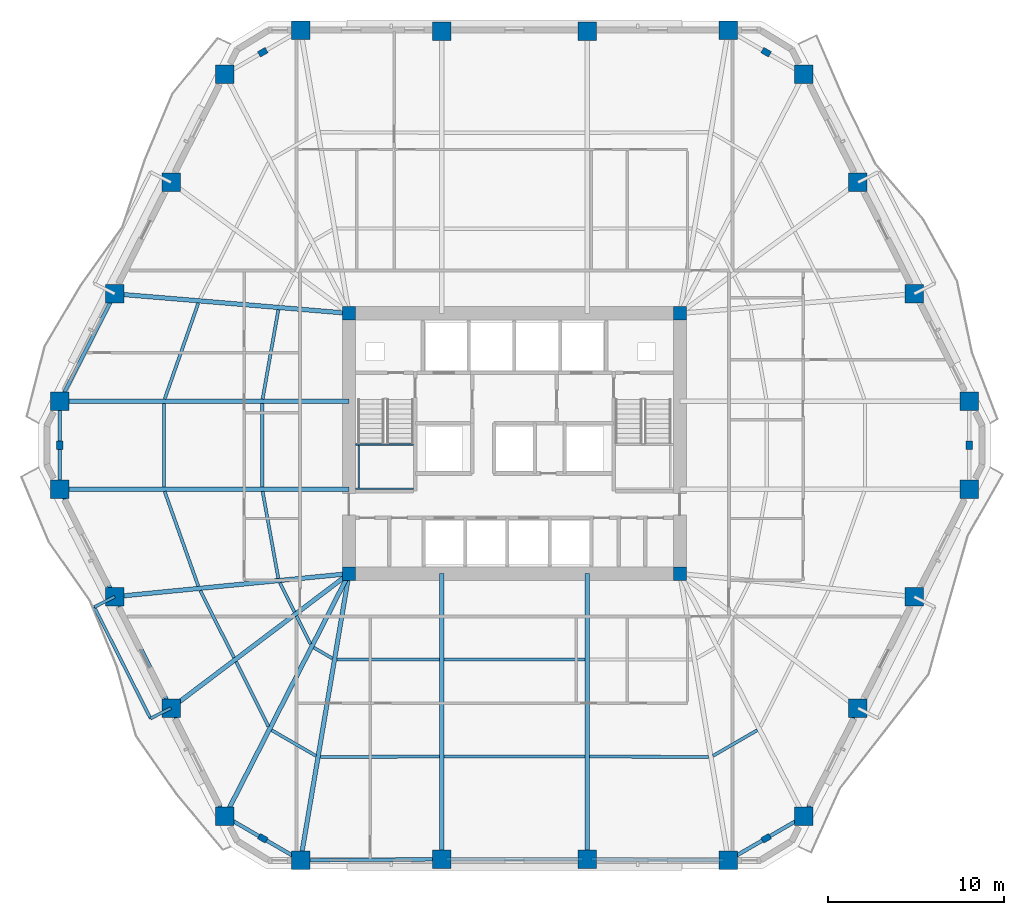
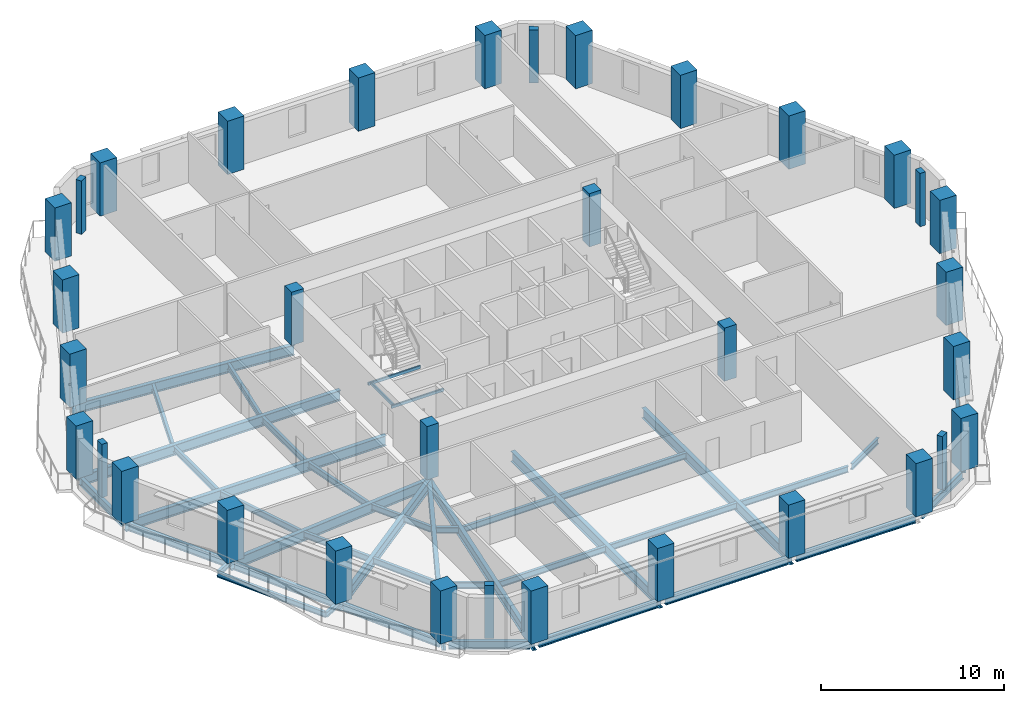
# One storey, part 1 of 13: 44 beams, 34 columns.
"""IFC4 building model written with IfcOpenShell, lengths in metres."""

from ifc_helpers import new_model, si_unit, direction, frame, origin, origin_2d, place, context, subcontext, project, spatial, rectangle, hollow_rectangle, i_section, extrude, material, material_profile, profile_set, type_object, element, save


model = new_model("IFC4")

# Units and contexts
model_context = context("Model", 3, precision=1e-05, world=origin(), true_north=direction((0.0, 1.0)))
body_context = subcontext(model_context, "Body", "Model", "MODEL_VIEW")
ifc_project = project(units=[si_unit("LENGTHUNIT", "METRE"), si_unit("AREAUNIT", "SQUARE_METRE"), si_unit("VOLUMEUNIT", "CUBIC_METRE"), si_unit("PLANEANGLEUNIT", "RADIAN"), si_unit("MASSUNIT", "GRAM", prefix="KILO")], contexts=[model_context])

# Site, building, storey
site_placement = place(None, origin())
site = spatial("IfcSite", under=ifc_project, at=site_placement, CompositionType="ELEMENT")
building_placement = place(site_placement, origin())
building = spatial("IfcBuilding", under=site, at=building_placement, Name="Cinnabar Lancet Tower", CompositionType="ELEMENT")
storey_placement = place(building_placement, frame((0.0, 0.0, 80.0)))
storey = spatial("IfcBuildingStorey", under=building, at=storey_placement, Name="L20", CompositionType="ELEMENT", Elevation=80.0)

# Columns
ifc_material_1 = material(Name="Concrete C70/85", Category="concrete")
ifc_material_profile_1 = material_profile(ifc_material_1, rectangle(XDim=0.75, YDim=0.75, at=origin_2d()), Name="RC-COL 750x750")
ifc_profile_set_1 = profile_set([ifc_material_profile_1], Name="Concrete C70/85")
column_type_1 = type_object("IfcColumnType", Name="STR-COL-CORE-750", PredefinedType="COLUMN", material=ifc_profile_set_1)
for number, where, z_axis, x_axis, name in (
    (1, (23.02490234375, 18.52490234375, 0.0), (0.0, 0.0, 1.0), (1.0, 0.0, 0.0), "L20 Core Corner Column SW"),
    (2, (41.77490234375, 18.52490234375, 0.0), (0.0, 0.0, 1.0), (1.0, 0.0, 0.0), "L20 Core Corner Column SE"),
    (3, (41.77490234375, 33.27490234375, 0.0), (0.0, 0.0, 1.0), (1.0, 0.0, 0.0), "L20 Core Corner Column NE"),
    (4, (23.02490234375, 33.27490234375, 0.0), (0.0, 0.0, 1.0), (1.0, 0.0, 0.0), "L20 Core Corner Column NW"),
):
    element("IfcColumn", number, at=place(storey_placement, frame(where, z_axis=z_axis, x_axis=x_axis)), inside=storey, type_object=column_type_1, Name=name, PredefinedType="COLUMN", context=body_context, shape_type="SweptSolid", body=[
        extrude(rectangle(XDim=0.75, YDim=0.75, at=origin_2d()), origin(), (0.0, 0.0, 1.0), 3.550048828125),
    ])
ifc_material_2 = material(Name="Concrete C60/75", Category="concrete")
ifc_material_profile_2 = material_profile(ifc_material_2, rectangle(XDim=0.5, YDim=0.35009765625, at=origin_2d()), Name="RC-PIL 500x350")
ifc_profile_set_2 = profile_set([ifc_material_profile_2], Name="Concrete C60/75")
column_type_2 = type_object("IfcColumnType", Name="STR-COL-PIL-500", PredefinedType="PILASTER", material=ifc_profile_set_2)
for number, where, z_axis, x_axis, name in (
    (5, (18.139892578125, 3.531005859375, 0.0), (0.0, 0.0, 1.0), (0.865195182343, -0.501435236546, 0.0), "L20 Chamfered Corner Pilaster 1"),
    (6, (46.659912109375, 3.531005859375, 0.0), (0.0, 0.0, 1.0), (0.865195182343, 0.501435236546, 0.0), "L20 Chamfered Corner Pilaster 2"),
    (7, (58.16796875, 25.800048828125, 0.0), (0.0, 0.0, 1.0), (0.0, 1.0, 0.0), "L20 Chamfered Corner Pilaster 3"),
    (8, (46.659912109375, 48.069091796875, 0.0), (0.0, 0.0, 1.0), (-0.865195182343, 0.501435236546, 0.0), "L20 Chamfered Corner Pilaster 4"),
    (9, (18.139892578125, 48.069091796875, 0.0), (0.0, 0.0, 1.0), (-0.865195182343, -0.501435236546, 0.0), "L20 Chamfered Corner Pilaster 5"),
    (10, (6.632080078125, 25.800048828125, 0.0), (0.0, 0.0, 1.0), (0.0, -1.0, 0.0), "L20 Chamfered Corner Pilaster 6"),
):
    element("IfcColumn", number, at=place(storey_placement, frame(where, z_axis=z_axis, x_axis=x_axis)), inside=storey, type_object=column_type_2, Name=name, PredefinedType="PILASTER", context=body_context, shape_type="SweptSolid", body=[
        extrude(rectangle(XDim=0.5, YDim=0.35009765625, at=origin_2d()), origin(), (0.0, 0.0, 1.0), 3.550048828125),
    ])
ifc_material_3 = material(Name="Concrete C70/85", Category="concrete")
ifc_material_profile_3 = material_profile(ifc_material_3, rectangle(XDim=1.050048828125, YDim=1.050048828125, at=origin_2d()), Name="RC-COL 1050x1050")
ifc_profile_set_3 = profile_set([ifc_material_profile_3], Name="Concrete C70/85")
column_type_3 = type_object("IfcColumnType", Name="STR-COL-TUBE-1050", PredefinedType="COLUMN", material=ifc_profile_set_3)
for number, where, z_axis, x_axis, name in (
    (11, (20.282958984375, 2.2890625, 0.0), (0.0, 0.0, 1.0), (1.0, 0.0, 0.0), "L20 Perimeter Tube Column 1"),
    (12, (28.278076171875, 2.342041015625, 0.0), (0.0, 0.0, 1.0), (1.0, 0.0, 0.0), "L20 Perimeter Tube Column 2"),
    (13, (36.52197265625, 2.342041015625, 0.0), (0.0, 0.0, 1.0), (1.0, 0.0, 0.0), "L20 Perimeter Tube Column 3"),
    (14, (44.51708984375, 2.2890625, 0.0), (0.0, 0.0, 1.0), (1.0, 0.0, 0.0), "L20 Perimeter Tube Column 4"),
    (15, (48.802978515625, 4.77294921875, 0.0), (0.0, 0.0, 1.0), (1.0, 0.0, 0.0), "L20 Perimeter Tube Column 5"),
    (16, (51.85888671875, 10.908935546875, 0.0), (0.0, 0.0, 1.0), (1.0, 0.0, 0.0), "L20 Perimeter Tube Column 6"),
    (17, (55.0458984375, 17.219970703125, 0.0), (0.0, 0.0, 1.0), (1.0, 0.0, 0.0), "L20 Perimeter Tube Column 7"),
    (18, (58.16796875, 23.31396484375, 0.0), (0.0, 0.0, 1.0), (1.0, 0.0, 0.0), "L20 Perimeter Tube Column 8"),
    (19, (58.16796875, 28.285888671875, 0.0), (0.0, 0.0, 1.0), (1.0, 0.0, 0.0), "L20 Perimeter Tube Column 9"),
    (20, (55.0458984375, 34.3798828125, 0.0), (0.0, 0.0, 1.0), (1.0, 0.0, 0.0), "L20 Perimeter Tube Column 10"),
    (21, (51.85888671875, 40.69091796875, 0.0), (0.0, 0.0, 1.0), (1.0, 0.0, 0.0), "L20 Perimeter Tube Column 11"),
    (22, (48.802978515625, 46.826904296875, 0.0), (0.0, 0.0, 1.0), (1.0, 0.0, 0.0), "L20 Perimeter Tube Column 12"),
    (23, (44.51708984375, 49.31103515625, 0.0), (0.0, 0.0, 1.0), (1.0, 0.0, 0.0), "L20 Perimeter Tube Column 13"),
    (24, (36.52197265625, 49.258056640625, 0.0), (0.0, 0.0, 1.0), (1.0, 0.0, 0.0), "L20 Perimeter Tube Column 14"),
    (25, (28.278076171875, 49.258056640625, 0.0), (0.0, 0.0, 1.0), (1.0, 0.0, 0.0), "L20 Perimeter Tube Column 15"),
    (26, (20.282958984375, 49.31103515625, 0.0), (0.0, 0.0, 1.0), (1.0, 0.0, 0.0), "L20 Perimeter Tube Column 16"),
    (27, (15.9970703125, 46.826904296875, 0.0), (0.0, 0.0, 1.0), (1.0, 0.0, 0.0), "L20 Perimeter Tube Column 17"),
    (28, (12.94091796875, 40.69091796875, 0.0), (0.0, 0.0, 1.0), (1.0, 0.0, 0.0), "L20 Perimeter Tube Column 18"),
    (29, (9.75390625, 34.3798828125, 0.0), (0.0, 0.0, 1.0), (1.0, 0.0, 0.0), "L20 Perimeter Tube Column 19"),
    (30, (6.632080078125, 28.285888671875, 0.0), (0.0, 0.0, 1.0), (1.0, 0.0, 0.0), "L20 Perimeter Tube Column 20"),
    (31, (6.632080078125, 23.31396484375, 0.0), (0.0, 0.0, 1.0), (1.0, 0.0, 0.0), "L20 Perimeter Tube Column 21"),
    (32, (9.75390625, 17.219970703125, 0.0), (0.0, 0.0, 1.0), (1.0, 0.0, 0.0), "L20 Perimeter Tube Column 22"),
    (33, (12.94091796875, 10.908935546875, 0.0), (0.0, 0.0, 1.0), (1.0, 0.0, 0.0), "L20 Perimeter Tube Column 23"),
    (34, (15.9970703125, 4.77294921875, 0.0), (0.0, 0.0, 1.0), (1.0, 0.0, 0.0), "L20 Perimeter Tube Column 24"),
):
    element("IfcColumn", number, at=place(storey_placement, frame(where, z_axis=z_axis, x_axis=x_axis)), inside=storey, type_object=column_type_3, Name=name, PredefinedType="COLUMN", context=body_context, shape_type="SweptSolid", body=[
        extrude(rectangle(XDim=1.050048828125, YDim=1.050048828125, at=origin_2d()), origin(), (0.0, 0.0, 1.0), 3.550048828125),
    ])

# Beams
ifc_material_4 = material(Name="Structural steel S355", Category="steel")
ifc_material_profile_4 = material_profile(ifc_material_4, i_section(OverallWidth=0.177978515625, OverallDepth=0.406494140625, WebThickness=0.0078125, FlangeThickness=0.0126953125, FilletRadius=0.01025390625, at=origin_2d()), Name="UKB 406x178x60")
ifc_profile_set_4 = profile_set([ifc_material_profile_4], Name="Structural steel S355")
beam_type_1 = type_object("IfcBeamType", Name="STR-BM-JST-406", PredefinedType="JOIST", material=ifc_profile_set_4)
beam_1_placement = place(storey_placement, frame((12.5791015625, 23.18701171875, -0.423095703125), z_axis=(0.334725039774, -0.942315842883, 0.0), x_axis=(0.942315842883, 0.334725039774, 0.0)))
element("IfcBeam", 35, at=beam_1_placement, inside=storey, type_object=beam_type_1, Name="L20 Secondary Floor Joist 1", PredefinedType="JOIST", context=body_context, shape_type="SweptSolid", body=[
    extrude(i_section(OverallWidth=0.177978515625, OverallDepth=0.406494140625, WebThickness=0.0078125, FlangeThickness=0.0126953125, FilletRadius=0.01025390625, at=origin_2d()), origin(), (0.0, 0.0, 1.0), 5.702880859375),
])
beam_2_placement = place(storey_placement, frame((18.1298828125, 23.18701171875, -0.423095703125), z_axis=(0.177941534491, -0.984041061289, 0.0), x_axis=(0.984041061289, 0.177941534491, 0.0)))
element("IfcBeam", 36, at=beam_2_placement, inside=storey, type_object=beam_type_1, Name="L20 Secondary Floor Joist 2", PredefinedType="JOIST", context=body_context, shape_type="SweptSolid", body=[
    extrude(i_section(OverallWidth=0.177978515625, OverallDepth=0.406494140625, WebThickness=0.0078125, FlangeThickness=0.0126953125, FilletRadius=0.01025390625, at=origin_2d()), origin(), (0.0, 0.0, 1.0), 5.0078125),
])
beam_3_placement = place(storey_placement, frame((14.593017578125, 17.568115234375, -0.423095703125), z_axis=(0.450763900798, -0.892643213012, 0.0), x_axis=(0.892643213012, 0.450763900798, 0.0)))
element("IfcBeam", 37, at=beam_3_placement, inside=storey, type_object=beam_type_1, Name="L20 Secondary Floor Joist 3", PredefinedType="JOIST", context=body_context, shape_type="SweptSolid", body=[
    extrude(i_section(OverallWidth=0.177978515625, OverallDepth=0.406494140625, WebThickness=0.0078125, FlangeThickness=0.0126953125, FilletRadius=0.01025390625, at=origin_2d()), origin(), (0.0, 0.0, 1.0), 4.25927734375),
])
beam_4_placement = place(storey_placement, frame((19.10498046875, 18.011962890625, -0.423095703125), z_axis=(0.450839777892, -0.892604892811, 0.0), x_axis=(0.892604892811, 0.450839777892, 0.0)))
element("IfcBeam", 38, at=beam_4_placement, inside=storey, type_object=beam_type_1, Name="L20 Secondary Floor Joist 4", PredefinedType="JOIST", context=body_context, shape_type="SweptSolid", body=[
    extrude(i_section(OverallWidth=0.177978515625, OverallDepth=0.406494140625, WebThickness=0.0078125, FlangeThickness=0.0126953125, FilletRadius=0.01025390625, at=origin_2d()), origin(), (0.0, 0.0, 1.0), 1.8564453125),
])
beam_5_placement = place(storey_placement, frame((16.62890625, 13.534912109375, -0.423095703125), z_axis=(0.445879271348, -0.895093109896, 0.0), x_axis=(0.895093109896, 0.445879271348, 0.0)))
element("IfcBeam", 39, at=beam_5_placement, inside=storey, type_object=beam_type_1, Name="L20 Secondary Floor Joist 5", PredefinedType="JOIST", context=body_context, shape_type="SweptSolid", body=[
    extrude(i_section(OverallWidth=0.177978515625, OverallDepth=0.406494140625, WebThickness=0.0078125, FlangeThickness=0.0126953125, FilletRadius=0.01025390625, at=origin_2d()), origin(), (0.0, 0.0, 1.0), 4.10009765625),
])
beam_6_placement = place(storey_placement, frame((20.056884765625, 16.125, -0.423095703125), z_axis=(0.445888683384, -0.895088421347, 0.0), x_axis=(0.895088421347, 0.445888683384, 0.0)))
element("IfcBeam", 40, at=beam_6_placement, inside=storey, type_object=beam_type_1, Name="L20 Secondary Floor Joist 6", PredefinedType="JOIST", context=body_context, shape_type="SweptSolid", body=[
    extrude(i_section(OverallWidth=0.177978515625, OverallDepth=0.406494140625, WebThickness=0.0078125, FlangeThickness=0.0126953125, FilletRadius=0.01025390625, at=origin_2d()), origin(), (0.0, 0.0, 1.0), 1.76953125),
])
beam_7_placement = place(storey_placement, frame((18.636962890625, 9.659912109375, -0.423095703125), z_axis=(0.865230791262, -0.501373790551, 0.0), x_axis=(0.501373790551, 0.865230791262, 0.0)))
element("IfcBeam", 41, at=beam_7_placement, inside=storey, type_object=beam_type_1, Name="L20 Secondary Floor Joist 7", PredefinedType="JOIST", context=body_context, shape_type="SweptSolid", body=[
    extrude(i_section(OverallWidth=0.177978515625, OverallDepth=0.406494140625, WebThickness=0.0078125, FlangeThickness=0.0126953125, FilletRadius=0.01025390625, at=origin_2d()), origin(), (0.0, 0.0, 1.0), 2.907958984375),
])
beam_8_placement = place(storey_placement, frame((21.027099609375, 14.3359375, -0.423095703125), z_axis=(0.864870018283, -0.501995867986, 0.0), x_axis=(0.501995867986, 0.864870018283, 0.0)))
element("IfcBeam", 42, at=beam_8_placement, inside=storey, type_object=beam_type_1, Name="L20 Secondary Floor Joist 8", PredefinedType="JOIST", context=body_context, shape_type="SweptSolid", body=[
    extrude(i_section(OverallWidth=0.177978515625, OverallDepth=0.406494140625, WebThickness=0.0078125, FlangeThickness=0.0126953125, FilletRadius=0.01025390625, at=origin_2d()), origin(), (0.0, 0.0, 1.0), 1.22314453125),
])
beam_9_placement = place(storey_placement, frame((21.39892578125, 8.135009765625, -0.423095703125), z_axis=(0.999988781713, 0.004736712844, 0.0), x_axis=(-0.004736712844, 0.999988781713, 0.0)))
element("IfcBeam", 43, at=beam_9_placement, inside=storey, type_object=beam_type_1, Name="L20 Secondary Floor Joist 9", PredefinedType="JOIST", context=body_context, shape_type="SweptSolid", body=[
    extrude(i_section(OverallWidth=0.177978515625, OverallDepth=0.406494140625, WebThickness=0.0078125, FlangeThickness=0.0126953125, FilletRadius=0.01025390625, at=origin_2d()), origin(), (0.0, 0.0, 1.0), 6.751953125),
])
beam_10_placement = place(storey_placement, frame((22.3310546875, 13.655029296875, -0.423095703125), z_axis=(0.99999672593, 0.00255893113, 0.0), x_axis=(-0.00255893113, 0.99999672593, 0.0)))
element("IfcBeam", 44, at=beam_10_placement, inside=storey, type_object=beam_type_1, Name="L20 Secondary Floor Joist 10", PredefinedType="JOIST", context=body_context, shape_type="SweptSolid", body=[
    extrude(i_section(OverallWidth=0.177978515625, OverallDepth=0.406494140625, WebThickness=0.0078125, FlangeThickness=0.0126953125, FilletRadius=0.01025390625, at=origin_2d()), origin(), (0.0, 0.0, 1.0), 5.81982421875),
])
for number, where, z_axis, x_axis, name in (
    (45, (28.405029296875, 8.16796875, -0.423095703125), (1.0, 0.0, 0.0), (0.0, 1.0, 0.0), "L20 Secondary Floor Joist 11"),
    (46, (28.405029296875, 13.669921875, -0.423095703125), (1.0, 0.0, 0.0), (0.0, 1.0, 0.0), "L20 Secondary Floor Joist 12"),
):
    element("IfcBeam", number, at=place(storey_placement, frame(where, z_axis=z_axis, x_axis=x_axis)), inside=storey, type_object=beam_type_1, Name=name, PredefinedType="JOIST", context=body_context, shape_type="SweptSolid", body=[
        extrude(i_section(OverallWidth=0.177978515625, OverallDepth=0.406494140625, WebThickness=0.0078125, FlangeThickness=0.0126953125, FilletRadius=0.01025390625, at=origin_2d()), origin(), (0.0, 0.0, 1.0), 7.989990234375),
    ])
beam_11_placement = place(storey_placement, frame((36.64892578125, 8.1669921875, -0.423095703125), z_axis=(0.999988781713, -0.004736712844, 0.0), x_axis=(0.004736712844, 0.999988781713, 0.0)))
element("IfcBeam", 47, at=beam_11_placement, inside=storey, type_object=beam_type_1, Name="L20 Secondary Floor Joist 13", PredefinedType="JOIST", context=body_context, shape_type="SweptSolid", body=[
    extrude(i_section(OverallWidth=0.177978515625, OverallDepth=0.406494140625, WebThickness=0.0078125, FlangeThickness=0.0126953125, FilletRadius=0.01025390625, at=origin_2d()), origin(), (0.0, 0.0, 1.0), 6.751953125),
])
beam_12_placement = place(storey_placement, frame((43.64697265625, 8.201904296875, -0.423095703125), z_axis=(0.865230791262, 0.501373790551, 0.0), x_axis=(-0.501373790551, 0.865230791262, 0.0)))
element("IfcBeam", 48, at=beam_12_placement, inside=storey, type_object=beam_type_1, Name="L20 Secondary Floor Joist 15", PredefinedType="JOIST", context=body_context, shape_type="SweptSolid", body=[
    extrude(i_section(OverallWidth=0.177978515625, OverallDepth=0.406494140625, WebThickness=0.0078125, FlangeThickness=0.0126953125, FilletRadius=0.01025390625, at=origin_2d()), origin(), (0.0, 0.0, 1.0), 2.907958984375),
])
beam_13_placement = place(storey_placement, frame((14.488037109375, 33.85888671875, -0.423095703125), z_axis=(-0.330987266454, -0.943635220541, 0.0), x_axis=(0.943635220541, -0.330987266454, 0.0)))
element("IfcBeam", 49, at=beam_13_placement, inside=storey, type_object=beam_type_1, Name="L20 Secondary Floor Joist 45", PredefinedType="JOIST", context=body_context, shape_type="SweptSolid", body=[
    extrude(i_section(OverallWidth=0.177978515625, OverallDepth=0.406494140625, WebThickness=0.0078125, FlangeThickness=0.0126953125, FilletRadius=0.01025390625, at=origin_2d()), origin(), (0.0, 0.0, 1.0), 5.77099609375),
])
beam_14_placement = place(storey_placement, frame((19.02197265625, 33.48095703125, -0.423095703125), z_axis=(-0.173547157688, -0.984825560218, 0.0), x_axis=(0.984825560218, -0.173547157688, 0.0)))
element("IfcBeam", 50, at=beam_14_placement, inside=storey, type_object=beam_type_1, Name="L20 Secondary Floor Joist 46", PredefinedType="JOIST", context=body_context, shape_type="SweptSolid", body=[
    extrude(i_section(OverallWidth=0.177978515625, OverallDepth=0.406494140625, WebThickness=0.0078125, FlangeThickness=0.0126953125, FilletRadius=0.01025390625, at=origin_2d()), origin(), (0.0, 0.0, 1.0), 5.14599609375),
])
for number, where, z_axis, x_axis, name in (
    (51, (12.532958984375, 28.158935546875, -0.423095703125), (0.0, -1.0, 0.0), (1.0, 0.0, 0.0), "L20 Secondary Floor Joist 47"),
    (52, (18.10693359375, 28.158935546875, -0.423095703125), (0.0, -1.0, 0.0), (1.0, 0.0, 0.0), "L20 Secondary Floor Joist 48"),
):
    element("IfcBeam", number, at=place(storey_placement, frame(where, z_axis=z_axis, x_axis=x_axis)), inside=storey, type_object=beam_type_1, Name=name, PredefinedType="JOIST", context=body_context, shape_type="SweptSolid", body=[
        extrude(i_section(OverallWidth=0.177978515625, OverallDepth=0.406494140625, WebThickness=0.0078125, FlangeThickness=0.0126953125, FilletRadius=0.01025390625, at=origin_2d()), origin(), (0.0, 0.0, 1.0), 4.718017578125),
    ])
ifc_material_5 = material(Name="Structural steel S355", Category="steel")
ifc_material_profile_5 = material_profile(ifc_material_5, hollow_rectangle(XDim=0.10009765625, YDim=0.199951171875, WallThickness=0.008056640625, InnerFilletRadius=0.00390625, OuterFilletRadius=0.011962890625, at=origin_2d()), Name="RHS 200x100x8")
ifc_profile_set_5 = profile_set([ifc_material_profile_5], Name="Structural steel S355")
beam_type_2 = type_object("IfcBeamType", Name="STR-BM-LND-203", PredefinedType="BEAM", material=ifc_profile_set_5)
for number, where, z_axis, x_axis, name in (
    (53, (23.39990234375, 23.330078125, 1.47509765625), (1.0, 0.0, 0.0), (0.0, 1.0, 0.0), "L20 ST-1-L20 Landing Support Beam S"),
    (54, (23.39990234375, 25.844970703125, 1.47509765625), (1.0, 0.0, 0.0), (0.0, 1.0, 0.0), "L20 ST-1-L20 Landing Support Beam N"),
):
    element("IfcBeam", number, at=place(storey_placement, frame(where, z_axis=z_axis, x_axis=x_axis)), inside=storey, type_object=beam_type_2, Name=name, PredefinedType="BEAM", context=body_context, shape_type="SweptSolid", body=[
        extrude(hollow_rectangle(XDim=0.10009765625, YDim=0.199951171875, WallThickness=0.008056640625, InnerFilletRadius=0.00390625, OuterFilletRadius=0.011962890625, at=origin_2d()), origin(), (0.0, 0.0, 1.0), 3.280029296875),
    ])
beam_15_placement = place(storey_placement, frame((23.580078125, 23.3798828125, 1.47509765625), z_axis=(0.0, 1.0, 0.0), x_axis=(-1.0, 0.0, 0.0)))
element("IfcBeam", 55, at=beam_15_placement, inside=storey, type_object=beam_type_2, Name="L20 ST-1-L20 Landing Side Trimmer Beam", PredefinedType="BEAM", context=body_context, shape_type="SweptSolid", body=[
    extrude(hollow_rectangle(XDim=0.10009765625, YDim=0.199951171875, WallThickness=0.008056640625, InnerFilletRadius=0.00390625, OuterFilletRadius=0.011962890625, at=origin_2d()), origin(), (0.0, 0.0, 1.0), 2.4150390625),
])
ifc_material_6 = material(Name="Structural steel S355", Category="steel")
ifc_material_profile_6 = material_profile(ifc_material_6, i_section(OverallWidth=0.209228515625, OverallDepth=0.533203125, WebThickness=0.010009765625, FlangeThickness=0.015625, FilletRadius=0.0126953125, at=origin_2d()), Name="UKB 533x210x92")
ifc_profile_set_6 = profile_set([ifc_material_profile_6], Name="Structural steel S355")
beam_type_3 = type_object("IfcBeamType", Name="STR-BM-SPN-533", PredefinedType="SPANDREL", material=ifc_profile_set_6)
beam_16_placement = place(storey_placement, frame((20.532958984375, 2.291015625, -0.487060546875), z_axis=(0.99997856757, 0.006547090947, 0.0), x_axis=(-0.006547090947, 0.99997856757, 0.0)))
element("IfcBeam", 56, at=beam_16_placement, inside=storey, type_object=beam_type_3, Name="L20 Perimeter Spandrel 1", PredefinedType="SPANDREL", context=body_context, shape_type="SweptSolid", body=[
    extrude(i_section(OverallWidth=0.209228515625, OverallDepth=0.533203125, WebThickness=0.010009765625, FlangeThickness=0.015625, FilletRadius=0.0126953125, at=origin_2d()), origin(), (0.0, 0.0, 1.0), 7.495361328125),
])
beam_17_placement = place(storey_placement, frame((28.528076171875, 2.342041015625, -0.487060546875), z_axis=(1.0, 0.0, 0.0), x_axis=(0.0, 1.0, 0.0)))
element("IfcBeam", 57, at=beam_17_placement, inside=storey, type_object=beam_type_3, Name="L20 Perimeter Spandrel 2", PredefinedType="SPANDREL", context=body_context, shape_type="SweptSolid", body=[
    extrude(i_section(OverallWidth=0.209228515625, OverallDepth=0.533203125, WebThickness=0.010009765625, FlangeThickness=0.015625, FilletRadius=0.0126953125, at=origin_2d()), origin(), (0.0, 0.0, 1.0), 7.743896484375),
])
beam_18_placement = place(storey_placement, frame((36.77197265625, 2.340087890625, -0.487060546875), z_axis=(0.99997856757, -0.006547090947, 0.0), x_axis=(0.006547090947, 0.99997856757, 0.0)))
element("IfcBeam", 58, at=beam_18_placement, inside=storey, type_object=beam_type_3, Name="L20 Perimeter Spandrel 3", PredefinedType="SPANDREL", context=body_context, shape_type="SweptSolid", body=[
    extrude(i_section(OverallWidth=0.209228515625, OverallDepth=0.533203125, WebThickness=0.010009765625, FlangeThickness=0.015625, FilletRadius=0.0126953125, at=origin_2d()), origin(), (0.0, 0.0, 1.0), 7.495361328125),
])
beam_19_placement = place(storey_placement, frame((44.73291015625, 2.4140625, -0.487060546875), z_axis=(0.865171017323, 0.501476929463, 0.0), x_axis=(-0.501476929463, 0.865171017323, 0.0)))
element("IfcBeam", 59, at=beam_19_placement, inside=storey, type_object=beam_type_3, Name="L20 Perimeter Spandrel 4", PredefinedType="SPANDREL", context=body_context, shape_type="SweptSolid", body=[
    extrude(i_section(OverallWidth=0.209228515625, OverallDepth=0.533203125, WebThickness=0.010009765625, FlangeThickness=0.015625, FilletRadius=0.0126953125, at=origin_2d()), origin(), (0.0, 0.0, 1.0), 4.45458984375),
])
beam_20_placement = place(storey_placement, frame((48.9140625, 4.9970703125, -0.487060546875), z_axis=(0.445953050023, 0.89505635419, 0.0), x_axis=(-0.89505635419, 0.445953050023, 0.0)))
element("IfcBeam", 60, at=beam_20_placement, inside=storey, type_object=beam_type_3, Name="L20 Perimeter Spandrel 5", PredefinedType="SPANDREL", context=body_context, shape_type="SweptSolid", body=[
    extrude(i_section(OverallWidth=0.209228515625, OverallDepth=0.533203125, WebThickness=0.010009765625, FlangeThickness=0.015625, FilletRadius=0.0126953125, at=origin_2d()), origin(), (0.0, 0.0, 1.0), 6.35498046875),
])
beam_21_placement = place(storey_placement, frame((9.639892578125, 34.156982421875, -0.487060546875), z_axis=(-0.455994051912, -0.889982822655, 0.0), x_axis=(0.889982822655, -0.455994051912, 0.0)))
element("IfcBeam", 61, at=beam_21_placement, inside=storey, type_object=beam_type_3, Name="L20 Perimeter Spandrel 19", PredefinedType="SPANDREL", context=body_context, shape_type="SweptSolid", body=[
    extrude(i_section(OverallWidth=0.209228515625, OverallDepth=0.533203125, WebThickness=0.010009765625, FlangeThickness=0.015625, FilletRadius=0.0126953125, at=origin_2d()), origin(), (0.0, 0.0, 1.0), 6.34619140625),
])
beam_22_placement = place(storey_placement, frame((6.632080078125, 28.035888671875, -0.487060546875), z_axis=(0.0, -1.0, 0.0), x_axis=(1.0, 0.0, 0.0)))
element("IfcBeam", 62, at=beam_22_placement, inside=storey, type_object=beam_type_3, Name="L20 Perimeter Spandrel 20", PredefinedType="SPANDREL", context=body_context, shape_type="SweptSolid", body=[
    extrude(i_section(OverallWidth=0.209228515625, OverallDepth=0.533203125, WebThickness=0.010009765625, FlangeThickness=0.015625, FilletRadius=0.0126953125, at=origin_2d()), origin(), (0.0, 0.0, 1.0), 4.471923828125),
])
beam_23_placement = place(storey_placement, frame((6.74609375, 23.091064453125, -0.487060546875), z_axis=(0.455994051912, -0.889982822655, 0.0), x_axis=(0.889982822655, 0.455994051912, 0.0)))
element("IfcBeam", 63, at=beam_23_placement, inside=storey, type_object=beam_type_3, Name="L20 Perimeter Spandrel 21", PredefinedType="SPANDREL", context=body_context, shape_type="SweptSolid", body=[
    extrude(i_section(OverallWidth=0.209228515625, OverallDepth=0.533203125, WebThickness=0.010009765625, FlangeThickness=0.015625, FilletRadius=0.0126953125, at=origin_2d()), origin(), (0.0, 0.0, 1.0), 6.34619140625),
])
beam_24_placement = place(storey_placement, frame((9.866943359375, 16.9970703125, -0.487060546875), z_axis=(0.450673532306, -0.892688841242, 0.0), x_axis=(0.892688841242, 0.450673532306, 0.0)))
element("IfcBeam", 64, at=beam_24_placement, inside=storey, type_object=beam_type_3, Name="L20 Perimeter Spandrel 22", PredefinedType="SPANDREL", context=body_context, shape_type="SweptSolid", body=[
    extrude(i_section(OverallWidth=0.209228515625, OverallDepth=0.533203125, WebThickness=0.010009765625, FlangeThickness=0.015625, FilletRadius=0.0126953125, at=origin_2d()), origin(), (0.0, 0.0, 1.0), 6.570068359375),
])
beam_25_placement = place(storey_placement, frame((13.052001953125, 10.68505859375, -0.487060546875), z_axis=(0.445953050023, -0.89505635419, 0.0), x_axis=(0.89505635419, 0.445953050023, 0.0)))
element("IfcBeam", 65, at=beam_25_placement, inside=storey, type_object=beam_type_3, Name="L20 Perimeter Spandrel 23", PredefinedType="SPANDREL", context=body_context, shape_type="SweptSolid", body=[
    extrude(i_section(OverallWidth=0.209228515625, OverallDepth=0.533203125, WebThickness=0.010009765625, FlangeThickness=0.015625, FilletRadius=0.0126953125, at=origin_2d()), origin(), (0.0, 0.0, 1.0), 6.35498046875),
])
beam_26_placement = place(storey_placement, frame((16.212890625, 4.64794921875, -0.487060546875), z_axis=(0.865171017323, -0.501476929463, 0.0), x_axis=(0.501476929463, 0.865171017323, 0.0)))
element("IfcBeam", 66, at=beam_26_placement, inside=storey, type_object=beam_type_3, Name="L20 Perimeter Spandrel 24", PredefinedType="SPANDREL", context=body_context, shape_type="SweptSolid", body=[
    extrude(i_section(OverallWidth=0.209228515625, OverallDepth=0.533203125, WebThickness=0.010009765625, FlangeThickness=0.015625, FilletRadius=0.0126953125, at=origin_2d()), origin(), (0.0, 0.0, 1.0), 4.45458984375),
])
ifc_material_7 = material(Name="Structural steel S355", Category="steel")
ifc_material_profile_7 = material_profile(ifc_material_7, i_section(OverallWidth=0.253662109375, OverallDepth=0.68359375, WebThickness=0.012451171875, FlangeThickness=0.01904296875, FilletRadius=0.01513671875, at=origin_2d()), Name="UKB 686x254x140")
ifc_profile_set_7 = profile_set([ifc_material_profile_7], Name="Structural steel S355")
beam_type_4 = type_object("IfcBeamType", Name="STR-BM-UKB686-140", PredefinedType="BEAM", material=ifc_profile_set_7)
beam_27_placement = place(storey_placement, frame((12.94091796875, 10.908935546875, -0.56201171875), z_axis=(0.797983154837, 0.602679752933, 0.0), x_axis=(-0.602679752933, 0.797983154837, 0.0)))
element("IfcBeam", 67, at=beam_27_placement, inside=storey, type_object=beam_type_4, Name="L20 Corner Collector Girder 1", PredefinedType="BEAM", context=body_context, shape_type="SweptSolid", body=[
    extrude(i_section(OverallWidth=0.253662109375, OverallDepth=0.68359375, WebThickness=0.012451171875, FlangeThickness=0.01904296875, FilletRadius=0.01513671875, at=origin_2d()), origin(), (0.0, 0.0, 1.0), 12.63671875),
])
beam_28_placement = place(storey_placement, frame((20.282958984375, 2.2890625, -0.56201171875), z_axis=(0.166524102484, 0.986037384328, 0.0), x_axis=(-0.986037384328, 0.166524102484, 0.0)))
element("IfcBeam", 68, at=beam_28_placement, inside=storey, type_object=beam_type_4, Name="L20 Primary Floor Girder 1", PredefinedType="BEAM", context=body_context, shape_type="SweptSolid", body=[
    extrude(i_section(OverallWidth=0.253662109375, OverallDepth=0.68359375, WebThickness=0.012451171875, FlangeThickness=0.01904296875, FilletRadius=0.01513671875, at=origin_2d()), origin(), (0.0, 0.0, 1.0), 16.4658203125),
])
for number, where, z_axis, x_axis, name in (
    (69, (28.278076171875, 2.342041015625, -0.56201171875), (0.0, 1.0, 0.0), (-1.0, 0.0, 0.0), "L20 Primary Floor Girder 2"),
    (70, (36.52197265625, 2.342041015625, -0.56201171875), (0.0, 1.0, 0.0), (-1.0, 0.0, 0.0), "L20 Primary Floor Girder 3"),
):
    element("IfcBeam", number, at=place(storey_placement, frame(where, z_axis=z_axis, x_axis=x_axis)), inside=storey, type_object=beam_type_4, Name=name, PredefinedType="BEAM", context=body_context, shape_type="SweptSolid", body=[
        extrude(i_section(OverallWidth=0.253662109375, OverallDepth=0.68359375, WebThickness=0.012451171875, FlangeThickness=0.01904296875, FilletRadius=0.01513671875, at=origin_2d()), origin(), (0.0, 0.0, 1.0), 16.182861328125),
    ])
beam_29_placement = place(storey_placement, frame((9.75390625, 34.3798828125, -0.56201171875), z_axis=(0.996551571824, -0.08297568737, 0.0), x_axis=(0.08297568737, 0.996551571824, 0.0)))
element("IfcBeam", 71, at=beam_29_placement, inside=storey, type_object=beam_type_4, Name="L20 Primary Floor Girder 19", PredefinedType="BEAM", context=body_context, shape_type="SweptSolid", body=[
    extrude(i_section(OverallWidth=0.253662109375, OverallDepth=0.68359375, WebThickness=0.012451171875, FlangeThickness=0.01904296875, FilletRadius=0.01513671875, at=origin_2d()), origin(), (0.0, 0.0, 1.0), 13.31689453125),
])
for number, where, z_axis, x_axis, name in (
    (72, (6.632080078125, 28.285888671875, -0.56201171875), (1.0, 0.0, 0.0), (0.0, 1.0, 0.0), "L20 Primary Floor Girder 20"),
    (73, (6.632080078125, 23.31396484375, -0.56201171875), (1.0, 0.0, 0.0), (0.0, 1.0, 0.0), "L20 Primary Floor Girder 21"),
):
    element("IfcBeam", number, at=place(storey_placement, frame(where, z_axis=z_axis, x_axis=x_axis)), inside=storey, type_object=beam_type_4, Name=name, PredefinedType="BEAM", context=body_context, shape_type="SweptSolid", body=[
        extrude(i_section(OverallWidth=0.253662109375, OverallDepth=0.68359375, WebThickness=0.012451171875, FlangeThickness=0.01904296875, FilletRadius=0.01513671875, at=origin_2d()), origin(), (0.0, 0.0, 1.0), 16.392822265625),
    ])
beam_30_placement = place(storey_placement, frame((9.75390625, 17.219970703125, -0.56201171875), z_axis=(0.995200421983, 0.097857652149, 0.0), x_axis=(-0.097857652149, 0.995200421983, 0.0)))
element("IfcBeam", 74, at=beam_30_placement, inside=storey, type_object=beam_type_4, Name="L20 Primary Floor Girder 22", PredefinedType="BEAM", context=body_context, shape_type="SweptSolid", body=[
    extrude(i_section(OverallWidth=0.253662109375, OverallDepth=0.68359375, WebThickness=0.012451171875, FlangeThickness=0.01904296875, FilletRadius=0.01513671875, at=origin_2d()), origin(), (0.0, 0.0, 1.0), 13.3349609375),
])
beam_31_placement = place(storey_placement, frame((15.9970703125, 4.77294921875, -0.56201171875), z_axis=(0.455062593839, 0.890459452018, 0.0), x_axis=(-0.890459452018, 0.455062593839, 0.0)))
element("IfcBeam", 75, at=beam_31_placement, inside=storey, type_object=beam_type_4, Name="L20 Primary Floor Girder 24", PredefinedType="BEAM", context=body_context, shape_type="SweptSolid", body=[
    extrude(i_section(OverallWidth=0.253662109375, OverallDepth=0.68359375, WebThickness=0.012451171875, FlangeThickness=0.01904296875, FilletRadius=0.01513671875, at=origin_2d()), origin(), (0.0, 0.0, 1.0), 15.443603515625),
])
ifc_material_8 = material(Name="Structural steel S355", Category="steel")
ifc_material_profile_8 = material_profile(ifc_material_8, i_section(OverallWidth=0.17138671875, OverallDepth=0.35498046875, WebThickness=0.00732421875, FlangeThickness=0.011474609375, FilletRadius=0.01025390625, at=origin_2d()), Name="UKB 356x171x51")
ifc_profile_set_8 = profile_set([ifc_material_profile_8], Name="Structural steel S355")
beam_type_5 = type_object("IfcBeamType", Name="STR-BM-WAV-OUT", PredefinedType="BEAM", material=ifc_profile_set_8)
for number, where, z_axis, x_axis, name in (
    (76, (9.75390625, 17.219970703125, -0.39697265625), (-0.89227592947, -0.451490493464, 0.0), (0.451490493464, -0.89227592947, 0.0), "L20 Face 6 Balcony Outlooker A"),
    (77, (12.94091796875, 10.908935546875, -0.39697265625), (-0.89227592947, -0.451490493464, 0.0), (0.451490493464, -0.89227592947, 0.0), "L20 Face 6 Balcony Outlooker B"),
):
    element("IfcBeam", number, at=place(storey_placement, frame(where, z_axis=z_axis, x_axis=x_axis)), inside=storey, type_object=beam_type_5, Name=name, PredefinedType="BEAM", context=body_context, shape_type="SweptSolid", body=[
        extrude(i_section(OverallWidth=0.17138671875, OverallDepth=0.35498046875, WebThickness=0.00732421875, FlangeThickness=0.011474609375, FilletRadius=0.01025390625, at=origin_2d()), origin(), (0.0, 0.0, 1.0), 1.300048828125),
    ])
ifc_material_9 = material(Name="Structural steel S355", Category="steel")
ifc_material_profile_9 = material_profile(ifc_material_9, i_section(OverallWidth=0.17138671875, OverallDepth=0.35498046875, WebThickness=0.00732421875, FlangeThickness=0.011474609375, FilletRadius=0.01025390625, at=origin_2d()), Name="UKB 356x171x51")
ifc_profile_set_9 = profile_set([ifc_material_profile_9], Name="Structural steel S355")
beam_type_6 = type_object("IfcBeamType", Name="STR-BM-WAV-TRIM", PredefinedType="SPANDREL", material=ifc_profile_set_9)
beam_32_placement = place(storey_placement, frame((8.593994140625, 16.633056640625, -0.39697265625), z_axis=(0.450773692627, -0.892638268301, 0.0), x_axis=(0.892638268301, 0.450773692627, 0.0)))
element("IfcBeam", 78, at=beam_32_placement, inside=storey, type_object=beam_type_6, Name="L20 Face 6 Balcony Edge Trimmer", PredefinedType="SPANDREL", context=body_context, shape_type="SweptSolid", body=[
    extrude(i_section(OverallWidth=0.17138671875, OverallDepth=0.35498046875, WebThickness=0.00732421875, FlangeThickness=0.011474609375, FilletRadius=0.01025390625, at=origin_2d()), origin(), (0.0, 0.0, 1.0), 7.070068359375),
])

save(model, "model.ifc")
